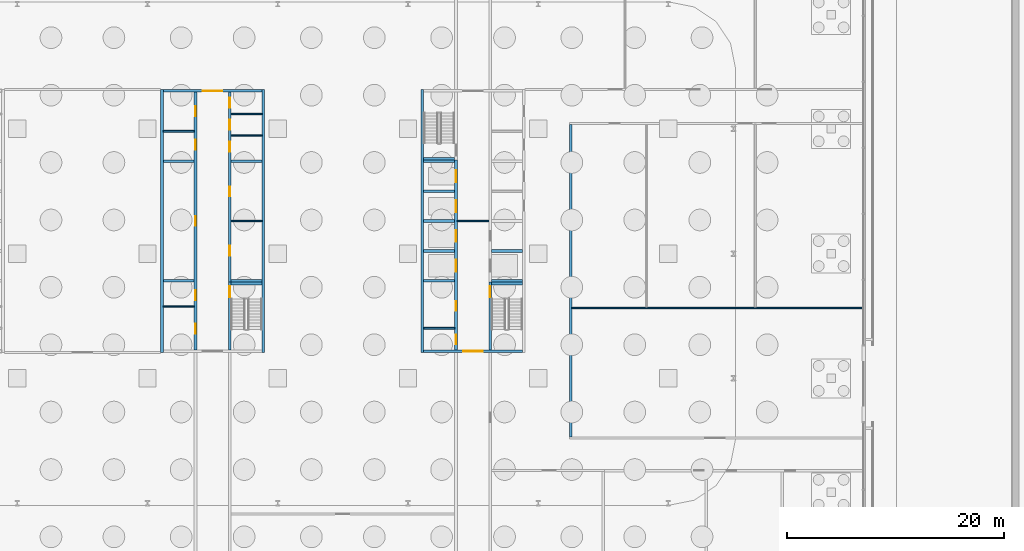
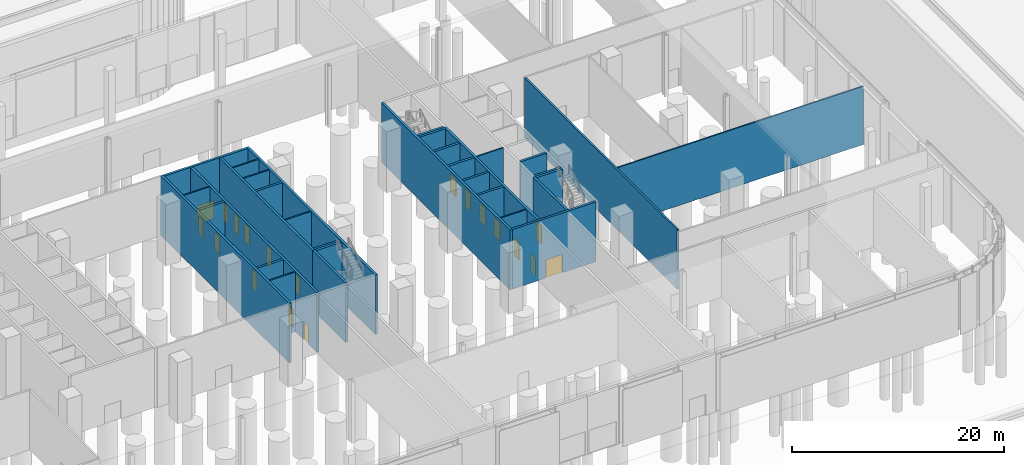
# One storey, part 27 of 48: 33 walls, 20 doors, 20 openings.
"""IFC4 building model written with IfcOpenShell, lengths in metres."""

import ifcopenshell
import ifcopenshell.guid

model = None  # the IFC model being written
_history = None  # IfcOwnerHistory: only IFC2X3 demands one
_inside = {}  # id of a spatial element -> (the spatial element, [elements in it])
_under = {}  # id of a project, library or spatial element -> (it, [spatial elements below it])
_declared = {}  # id of a project -> (the project, [libraries it declares])
_typed = {}  # id of a type object -> (the type object, [elements of that type])
_made_of = {}  # id of a material, layer set ... -> (it, [elements and type objects made of it])


def new_model(schema):
    """Start an empty IFC model of exactly this schema.

    Asked for "IFC4X3", IfcOpenShell would pick the latest addendum, in which some entities
    have other attributes; the version numbers below select the first issue.
    IFC2X3 requires an IfcOwnerHistory on every rooted entity: one is made here for all.
    """
    global model, _history
    if schema == "IFC4X3":
        model = ifcopenshell.file(schema_version=(4, 3, 0, 0))
    else:
        model = ifcopenshell.file(schema=schema)
    _inside.clear()
    _under.clear()
    _declared.clear()
    _typed.clear()
    _made_of.clear()
    _history = None
    if model.schema == "IFC2X3":
        org = make("IfcOrganization", Name="unknown")
        user = make(
            "IfcPersonAndOrganization",
            ThePerson=make("IfcPerson", FamilyName="unknown"),
            TheOrganization=org,
        )
        app = make(
            "IfcApplication",
            ApplicationDeveloper=org,
            Version="unknown",
            ApplicationFullName="unknown",
            ApplicationIdentifier="unknown",
        )
        _history = make(
            "IfcOwnerHistory",
            OwningUser=user,
            OwningApplication=app,
            ChangeAction="ADDED",
            CreationDate=0,
        )
    return model


def make(cls, **values):
    """One entity of the class cls with the attributes given. An attribute that is None is left unset."""
    return model.create_entity(
        cls, **{name: value for name, value in values.items() if value is not None}
    )


def rooted(cls, **values):
    """An entity with a GlobalId (a new one), such as an element, a storey or a relation."""
    return make(cls, GlobalId=ifcopenshell.guid.new(), OwnerHistory=_history, **values)


def si_unit(unit_type, name, prefix=None):
    """IfcSIUnit, for example si_unit("LENGTHUNIT", "METRE", prefix="MILLI")."""
    return make("IfcSIUnit", UnitType=unit_type, Prefix=prefix, Name=name)


def assignment(units):
    """IfcUnitAssignment: the units of a project."""
    return None if units is None else make("IfcUnitAssignment", Units=units)


def point(xyz):
    """IfcCartesianPoint."""
    return None if xyz is None else make("IfcCartesianPoint", Coordinates=xyz)


def direction(xyz):
    """IfcDirection."""
    return None if xyz is None else make("IfcDirection", DirectionRatios=xyz)


def frame(location, z_axis=None, x_axis=None):
    """IfcAxis2Placement3D, a coordinate frame: its origin and axes. An axis left out is left unset."""
    return make(
        "IfcAxis2Placement3D",
        Location=point(location),
        Axis=direction(z_axis),
        RefDirection=direction(x_axis),
    )


def frame_2d(location, x_axis=None):
    """IfcAxis2Placement2D, a coordinate frame in the plane: its origin and x axis."""
    return make(
        "IfcAxis2Placement2D", Location=point(location), RefDirection=direction(x_axis)
    )


def origin():
    """The frame at (0, 0, 0) with its axes left unset."""
    return frame((0.0, 0.0, 0.0))


def place(relative_to, where):
    """IfcLocalPlacement: puts the frame where relative to a parent placement (None: the world)."""
    return make(
        "IfcLocalPlacement", PlacementRelTo=relative_to, RelativePlacement=where
    )


def context(
    kind, dimensions, precision=None, world=None, true_north=None, identifier=None
):
    """IfcGeometricRepresentationContext, for example the 3D "Model" context."""
    return make(
        "IfcGeometricRepresentationContext",
        ContextIdentifier=identifier,
        ContextType=kind,
        CoordinateSpaceDimension=dimensions,
        Precision=precision,
        WorldCoordinateSystem=world,
        TrueNorth=true_north,
    )


def subcontext(parent, identifier, kind, view, scale=None):
    """IfcGeometricRepresentationSubContext, for example "Body" below "Model"."""
    return make(
        "IfcGeometricRepresentationSubContext",
        ContextIdentifier=identifier,
        ContextType=kind,
        ParentContext=parent,
        TargetScale=scale,
        TargetView=view,
    )


def project(units=None, contexts=None):
    """IfcProject with its units and contexts."""
    return rooted(
        "IfcProject",
        Name="project",
        RepresentationContexts=contexts,
        UnitsInContext=assignment(units),
    )


def spatial(cls, under=None, at=None, **own):
    """A site, building, storey or space (cls), placed at a placement, below another one or the project."""
    s = rooted(cls, ObjectPlacement=at, **own)
    if under is not None:
        _under.setdefault(under.id(), (under, []))[1].append(s)
    return s


def profile(cls, at=None, kind="AREA", **sizes):
    """A parametric profile (cls). Its sizes go by their IFC names, for example OverallWidth=200.0."""
    return make(cls, ProfileType=kind, Position=at, **sizes)


def rectangle(**sizes):
    """IfcRectangleProfileDef."""
    return profile("IfcRectangleProfileDef", **sizes)


def extrude(swept, where, along, depth):
    """IfcExtrudedAreaSolid: the profile swept, set in the frame where, extruded along a direction by depth."""
    return make(
        "IfcExtrudedAreaSolid",
        SweptArea=swept,
        Position=where,
        ExtrudedDirection=direction(along),
        Depth=depth,
    )


def shape(context_of_items, identifier, shape_type, items):
    """IfcShapeRepresentation: the items that make up one representation, for example the "Body"."""
    return make(
        "IfcShapeRepresentation",
        ContextOfItems=context_of_items,
        RepresentationIdentifier=identifier,
        RepresentationType=shape_type,
        Items=items,
    )


def material(Name=None, Category=None):
    """IfcMaterial."""
    return make("IfcMaterial", Name=Name, Category=Category)


def layer(
    of_material, thickness, ventilated=None, Name=None, Category=None, Priority=None
):
    """IfcMaterialLayer: one layer of a wall or slab, of a material (None: an air gap)."""
    return make(
        "IfcMaterialLayer",
        Material=of_material,
        LayerThickness=thickness,
        IsVentilated=ventilated,
        Name=Name,
        Category=Category,
        Priority=Priority,
    )


def layer_set(layers, Name=None):
    """IfcMaterialLayerSet."""
    return make("IfcMaterialLayerSet", MaterialLayers=layers, LayerSetName=Name)


def made_of(thing, what):
    """Note that an element or type object is made of a material, layer set ...; save() writes the relation."""
    if what is not None:
        _made_of.setdefault(what.id(), (what, []))[1].append(thing)
    return thing


def type_object(cls, material=None, **own):
    """A type object (cls), such as IfcWallType, which elements share."""
    return made_of(rooted(cls, **own), material)


def element(
    cls,
    number,
    at=None,
    inside=None,
    cuts=None,
    type_object=None,
    material=None,
    context=None,
    identifier="Body",
    shape_type=None,
    held_by="IfcProductDefinitionShape",
    body=None,
    shapes=None,
    **own,
):
    """One element of the class cls, such as IfcWall. Its Tag is "e" and its number.

    at: its placement. inside: the storey or other place that contains it. cuts: it is an
    opening in that element (IfcRelVoidsElement). A single representation is given by context,
    identifier, shape_type and body (its items); several are given by shapes. held_by: the class
    of the entity that holds the representations. save() writes the other relations.
    """
    e = rooted(cls, Tag="e%d" % number, ObjectPlacement=at, **own)
    if body is not None:
        shapes = [shape(context, identifier, shape_type, body)]
    if shapes is not None:
        e.Representation = make(held_by, Representations=shapes)
    if inside is not None:
        _inside.setdefault(inside.id(), (inside, []))[1].append(e)
    if cuts is not None:
        rooted(
            "IfcRelVoidsElement", RelatingBuildingElement=cuts, RelatedOpeningElement=e
        )
    if type_object is not None:
        _typed.setdefault(type_object.id(), (type_object, []))[1].append(e)
    return made_of(e, material)


def fill(opening, filler):
    """IfcRelFillsElement: the door or window that sits in an opening."""
    return rooted(
        "IfcRelFillsElement",
        RelatingOpeningElement=opening,
        RelatedBuildingElement=filler,
    )


def aggregate(whole, parts):
    """IfcRelAggregates: a whole, such as a stair, and the parts it consists of."""
    return rooted("IfcRelAggregates", RelatingObject=whole, RelatedObjects=parts)


def save(model, path):
    """Write the relations noted so far, then the file.

    IfcRelAggregates (storeys below a building ...), IfcRelContainedInSpatialStructure (elements
    in a storey), IfcRelDefinesByType, IfcRelAssociatesMaterial and IfcRelDeclares: one each for
    every whole, place, type object, material and project.
    """
    for whole, parts in _under.values():
        aggregate(whole, parts)
    for where, things in _inside.values():
        rooted(
            "IfcRelContainedInSpatialStructure",
            RelatedElements=things,
            RelatingStructure=where,
        )
    for kind, things in _typed.values():
        rooted("IfcRelDefinesByType", RelatedObjects=things, RelatingType=kind)
    for what, things in _made_of.values():
        rooted("IfcRelAssociatesMaterial", RelatedObjects=things, RelatingMaterial=what)
    for by, libraries in _declared.values():
        rooted("IfcRelDeclares", RelatingContext=by, RelatedDefinitions=libraries)
    model.write(path)


model = new_model("IFC4")

# Units and contexts
model_context = context("Model", 3, precision=1e-05, world=origin(), true_north=direction((0.0, 1.0)))
body_context = subcontext(model_context, "Body", "Model", "MODEL_VIEW")
ifc_project = project(units=[si_unit("LENGTHUNIT", "METRE"), si_unit("AREAUNIT", "SQUARE_METRE"), si_unit("VOLUMEUNIT", "CUBIC_METRE"), si_unit("PLANEANGLEUNIT", "RADIAN"), si_unit("MASSUNIT", "GRAM", prefix="KILO")], contexts=[model_context])

# Site, building, storey
site_placement = place(None, origin())
site = spatial("IfcSite", under=ifc_project, at=site_placement, CompositionType="ELEMENT")
building_placement = place(site_placement, origin())
building = spatial("IfcBuilding", under=site, at=building_placement, Name="Mahtab Terrace Research Tower", CompositionType="ELEMENT")
storey_placement = place(building_placement, origin())
storey = spatial("IfcBuildingStorey", under=building, at=storey_placement, Name="G", CompositionType="ELEMENT", Elevation=0.0)

# Walls
ifc_material_1 = material(Name="Gypsum board partition")
ifc_layer_1 = layer(ifc_material_1, 0.14990234375)
ifc_layer_set_1 = layer_set([ifc_layer_1], Name="Core partition 150")
wall_type_1 = type_object("IfcWallType", Name="Core partition 150", PredefinedType="PARTITIONING", material=ifc_layer_set_1)
for number, where, z_axis, x_axis, name in (
    (1, (1.699951171875, 3.0, 0.0), (0.0, 0.0, 1.0), (1.0, 0.0, 0.0), "Core wall B pEL0"),
    (2, (-4.550048828125, -4.875, 0.0), (0.0, 0.0, 1.0), (1.0, 0.0, 0.0), "Core wall B pWS-788"),
    (3, (-4.550048828125, 11.27490234375, 0.0), (0.0, 0.0, 1.0), (1.0, 0.0, 0.0), "Core wall B pWN828"),
    (4, (1.699951171875, 10.875, 0.0), (0.0, 0.0, 1.0), (1.0, 0.0, 0.0), "Core wall B pEN788"),
    (5, (1.699951171875, 12.875, 0.0), (0.0, 0.0, 1.0), (1.0, 0.0, 0.0), "Core wall B pEN988"),
):
    element("IfcWall", number, at=place(storey_placement, frame(where, z_axis=z_axis, x_axis=x_axis)), inside=storey, type_object=wall_type_1, Name=name, PredefinedType="PARTITIONING", context=body_context, shape_type="SweptSolid", body=[
        extrude(rectangle(XDim=2.85009765625, YDim=0.14990234375, at=frame_2d((1.425048828125, 0.0))), origin(), (0.0, 0.0, 1.0), 6.860107421875),
    ])
wall_1_placement = place(storey_placement, frame((22.550048828125, 3.0, 0.0), z_axis=(0.0, 0.0, 1.0), x_axis=(1.0, 0.0, 0.0)))
element("IfcWall", 6, at=wall_1_placement, inside=storey, type_object=wall_type_1, Name="Core wall C ffl", PredefinedType="PARTITIONING", context=body_context, shape_type="SweptSolid", body=[
    extrude(rectangle(XDim=2.89990234375, YDim=0.14990234375, at=frame_2d((1.449951171875, 0.0))), origin(), (0.0, 0.0, 1.0), 6.860107421875),
])
wall_2_placement = place(storey_placement, frame((19.449951171875, -6.875, 0.0), z_axis=(0.0, 0.0, 1.0), x_axis=(1.0, 0.0, 0.0)))
element("IfcWall", 7, at=wall_2_placement, inside=storey, type_object=wall_type_1, Name="Core wall C pWS-988", PredefinedType="PARTITIONING", context=body_context, shape_type="SweptSolid", body=[
    extrude(rectangle(XDim=2.85009765625, YDim=0.14990234375, at=frame_2d((1.425048828125, 0.0))), origin(), (0.0, 0.0, 1.0), 6.860107421875),
])
ifc_material_2 = material(Name="Concrete C70/85", Category="concrete")
ifc_layer_2 = layer(ifc_material_2, 0.25)
ifc_layer_set_2 = layer_set([ifc_layer_2], Name="Core wall 250")
wall_type_2 = type_object("IfcWallType", Name="Core wall 250", PredefinedType="SOLIDWALL", material=ifc_layer_set_2)
for number, where, z_axis, x_axis, name in (
    (8, (-4.675048828125, 15.125, 0.0), (0.0, 0.0, 1.0), (0.0, -1.0, 0.0), "Core wall B outerW"),
    (9, (4.675048828125, -9.125, 0.0), (0.0, 0.0, 1.0), (0.0, 1.0, 0.0), "Core wall B outerE"),
):
    element("IfcWall", number, at=place(storey_placement, frame(where, z_axis=z_axis, x_axis=x_axis)), inside=storey, type_object=wall_type_2, Name=name, PredefinedType="SOLIDWALL", context=body_context, shape_type="SweptSolid", body=[
        extrude(rectangle(XDim=24.25, YDim=0.25, at=frame_2d((12.125, 0.0))), origin(), (0.0, 0.0, 1.0), 6.860107421875),
    ])

# Wall, opening, door
wall_3_placement = place(storey_placement, frame((-4.550048828125, 15.0, 0.0), z_axis=(0.0, 0.0, 1.0), x_axis=(1.0, 0.0, 0.0)))
wall_3 = element("IfcWall", 10, at=wall_3_placement, inside=storey, type_object=wall_type_2, Name="Core wall B endN", PredefinedType="SOLIDWALL", context=body_context, shape_type="SweptSolid", body=[
    extrude(rectangle(XDim=9.10009765625, YDim=0.25, at=frame_2d((4.550048828125, 0.0))), origin(), (0.0, 0.0, 1.0), 6.860107421875),
])
opening_1_placement = place(wall_3_placement, frame((3.64990234375, 0.0, 0.0)))
opening_1 = element("IfcOpeningElement", 11, at=opening_1_placement, cuts=wall_3, Name="Opening B-N1", PredefinedType="OPENING", context=body_context, shape_type="SweptSolid", body=[
    extrude(rectangle(XDim=1.800048828125, YDim=2.10009765625, at=frame_2d((0.89990234375, 1.050048828125))), frame((0.0, 0.135009765625, 0.0), z_axis=(0.0, -1.0, 0.0), x_axis=(1.0, 0.0, 0.0)), (0.0, 0.0, 1.0), 0.27001953125),
])
ifc_material_3 = material(Name="Steel fire door", Category="steel")
door_type_1 = type_object("IfcDoorType", Name="Lobby double door 1800x2100 1 HR", OperationType="DOUBLE_DOOR_SINGLE_SWING", PredefinedType="DOOR", material=ifc_material_3)
door_1_placement = place(opening_1_placement, origin())
door_1 = element("IfcDoor", 12, at=door_1_placement, inside=storey, type_object=door_type_1, Name="Core entrance door B N", OperationType="DOUBLE_DOOR_SINGLE_SWING", OverallHeight=2.10009765625, OverallWidth=1.800048828125, PredefinedType="DOOR", context=body_context, shape_type="SweptSolid", body=[
    extrude(rectangle(XDim=1.800048828125, YDim=2.10009765625, at=frame_2d((0.89990234375, 1.050048828125))), frame((0.0, 0.02490234375, 0.0), z_axis=(0.0, -1.0, 0.0), x_axis=(1.0, 0.0, 0.0)), (0.0, 0.0, 1.0), 0.050048828125),
])
fill(opening_1, door_1)

# Wall, openings, doors
wall_4_placement = place(storey_placement, frame((-1.574951171875, -8.875, 0.0), z_axis=(0.0, 0.0, 1.0), x_axis=(0.0, 1.0, 0.0)))
wall_4 = element("IfcWall", 13, at=wall_4_placement, inside=storey, type_object=wall_type_2, Name="Core wall B innerWSLN", PredefinedType="SOLIDWALL", context=body_context, shape_type="SweptSolid", body=[
    extrude(rectangle(XDim=23.75, YDim=0.25, at=frame_2d((11.875, 0.0))), origin(), (0.0, 0.0, 1.0), 6.860107421875),
])
opening_2_placement = place(wall_4_placement, frame((11.425048828125, 0.0, 0.0)))
opening_2 = element("IfcOpeningElement", 14, at=opening_2_placement, cuts=wall_4, Name="Opening B-R1", PredefinedType="OPENING", context=body_context, shape_type="SweptSolid", body=[
    extrude(rectangle(XDim=0.89990234375, YDim=2.10009765625, at=frame_2d((0.449951171875, 1.050048828125))), frame((0.0, 0.135009765625, 0.0), z_axis=(0.0, -1.0, 0.0), x_axis=(1.0, 0.0, 0.0)), (0.0, 0.0, 1.0), 0.27001953125),
])
opening_3_placement = place(wall_4_placement, frame((1.512451171875, 0.0, 0.0)))
opening_3 = element("IfcOpeningElement", 15, at=opening_3_placement, cuts=wall_4, Name="Opening B-R4", PredefinedType="OPENING", context=body_context, shape_type="SweptSolid", body=[
    extrude(rectangle(XDim=0.89990234375, YDim=2.10009765625, at=frame_2d((0.449951171875, 1.050048828125))), frame((0.0, 0.135009765625, 0.0), z_axis=(0.0, -1.0, 0.0), x_axis=(1.0, 0.0, 0.0)), (0.0, 0.0, 1.0), 0.27001953125),
])
opening_4_placement = place(wall_4_placement, frame((4.58740234375, 0.0, 0.0)))
opening_4 = element("IfcOpeningElement", 16, at=opening_4_placement, cuts=wall_4, Name="Opening B-R5", PredefinedType="OPENING", context=body_context, shape_type="SweptSolid", body=[
    extrude(rectangle(XDim=0.89990234375, YDim=2.10009765625, at=frame_2d((0.449951171875, 1.050048828125))), frame((0.0, 0.135009765625, 0.0), z_axis=(0.0, -1.0, 0.0), x_axis=(1.0, 0.0, 0.0)), (0.0, 0.0, 1.0), 0.27001953125),
])
opening_5_placement = place(wall_4_placement, frame((18.46240234375, 0.0, 0.0)))
opening_5 = element("IfcOpeningElement", 17, at=opening_5_placement, cuts=wall_4, Name="Opening B-R6", PredefinedType="OPENING", context=body_context, shape_type="SweptSolid", body=[
    extrude(rectangle(XDim=0.89990234375, YDim=2.10009765625, at=frame_2d((0.449951171875, 1.050048828125))), frame((0.0, 0.135009765625, 0.0), z_axis=(0.0, -1.0, 0.0), x_axis=(1.0, 0.0, 0.0)), (0.0, 0.0, 1.0), 0.27001953125),
])
opening_6_placement = place(wall_4_placement, frame((21.53759765625, 0.0, 0.0)))
opening_6 = element("IfcOpeningElement", 18, at=opening_6_placement, cuts=wall_4, Name="Opening B-R7", PredefinedType="OPENING", context=body_context, shape_type="SweptSolid", body=[
    extrude(rectangle(XDim=0.89990234375, YDim=2.10009765625, at=frame_2d((0.449951171875, 1.050048828125))), frame((0.0, 0.135009765625, 0.0), z_axis=(0.0, -1.0, 0.0), x_axis=(1.0, 0.0, 0.0)), (0.0, 0.0, 1.0), 0.27001953125),
])
door_type_2 = type_object("IfcDoorType", Name="Room door 900x2100 1 HR", OperationType="NOTDEFINED", PredefinedType="DOOR", material=ifc_material_3)
door_2_placement = place(opening_2_placement, origin())
door_2 = element("IfcDoor", 19, at=door_2_placement, inside=storey, type_object=door_type_2, Name="Plant room door", OperationType="SINGLE_SWING_LEFT", OverallHeight=2.10009765625, OverallWidth=0.89990234375, PredefinedType="DOOR", context=body_context, shape_type="SweptSolid", body=[
    extrude(rectangle(XDim=0.89990234375, YDim=2.10009765625, at=frame_2d((0.449951171875, 1.050048828125))), frame((0.0, 0.02490234375, 0.0), z_axis=(0.0, -1.0, 0.0), x_axis=(1.0, 0.0, 0.0)), (0.0, 0.0, 1.0), 0.050048828125),
])
fill(opening_2, door_2)
door_3_placement = place(opening_3_placement, origin())
door_3 = element("IfcDoor", 20, at=door_3_placement, inside=storey, type_object=door_type_2, Name="IT equipment room door", OperationType="SINGLE_SWING_RIGHT", OverallHeight=2.10009765625, OverallWidth=0.89990234375, PredefinedType="DOOR", context=body_context, shape_type="SweptSolid", body=[
    extrude(rectangle(XDim=0.89990234375, YDim=2.10009765625, at=frame_2d((0.449951171875, 1.050048828125))), frame((0.0, 0.02490234375, 0.0), z_axis=(0.0, -1.0, 0.0), x_axis=(1.0, 0.0, 0.0)), (0.0, 0.0, 1.0), 0.050048828125),
])
fill(opening_3, door_3)
door_4_placement = place(opening_4_placement, origin())
door_4 = element("IfcDoor", 21, at=door_4_placement, inside=storey, type_object=door_type_2, Name="Electrical riser room door", OperationType="SINGLE_SWING_LEFT", OverallHeight=2.10009765625, OverallWidth=0.89990234375, PredefinedType="DOOR", context=body_context, shape_type="SweptSolid", body=[
    extrude(rectangle(XDim=0.89990234375, YDim=2.10009765625, at=frame_2d((0.449951171875, 1.050048828125))), frame((0.0, 0.02490234375, 0.0), z_axis=(0.0, -1.0, 0.0), x_axis=(1.0, 0.0, 0.0)), (0.0, 0.0, 1.0), 0.050048828125),
])
fill(opening_4, door_4)
door_5_placement = place(opening_5_placement, origin())
door_5 = element("IfcDoor", 22, at=door_5_placement, inside=storey, type_object=door_type_2, Name="Mechanical riser room door", OperationType="SINGLE_SWING_RIGHT", OverallHeight=2.10009765625, OverallWidth=0.89990234375, PredefinedType="DOOR", context=body_context, shape_type="SweptSolid", body=[
    extrude(rectangle(XDim=0.89990234375, YDim=2.10009765625, at=frame_2d((0.449951171875, 1.050048828125))), frame((0.0, 0.02490234375, 0.0), z_axis=(0.0, -1.0, 0.0), x_axis=(1.0, 0.0, 0.0)), (0.0, 0.0, 1.0), 0.050048828125),
])
fill(opening_5, door_5)
door_6_placement = place(opening_6_placement, origin())
door_6 = element("IfcDoor", 23, at=door_6_placement, inside=storey, type_object=door_type_2, Name="Chemical store door", OperationType="SINGLE_SWING_LEFT", OverallHeight=2.10009765625, OverallWidth=0.89990234375, PredefinedType="DOOR", context=body_context, shape_type="SweptSolid", body=[
    extrude(rectangle(XDim=0.89990234375, YDim=2.10009765625, at=frame_2d((0.449951171875, 1.050048828125))), frame((0.0, 0.02490234375, 0.0), z_axis=(0.0, -1.0, 0.0), x_axis=(1.0, 0.0, 0.0)), (0.0, 0.0, 1.0), 0.050048828125),
])
fill(opening_6, door_6)

# Wall, opening, door
wall_5_placement = place(storey_placement, frame((1.574951171875, -8.875, 0.0), z_axis=(0.0, 0.0, 1.0), x_axis=(0.0, 1.0, 0.0)))
wall_5 = element("IfcWall", 24, at=wall_5_placement, inside=storey, type_object=wall_type_2, Name="Core wall B innerES", PredefinedType="SOLIDWALL", context=body_context, shape_type="SweptSolid", body=[
    extrude(rectangle(XDim=6.25, YDim=0.25, at=frame_2d((3.125, 0.0))), origin(), (0.0, 0.0, 1.0), 6.860107421875),
])
opening_7_placement = place(wall_5_placement, frame((4.85009765625, 0.0, 0.0)))
opening_7 = element("IfcOpeningElement", 25, at=opening_7_placement, cuts=wall_5, Name="Opening B-ST2", PredefinedType="OPENING", context=body_context, shape_type="SweptSolid", body=[
    extrude(rectangle(XDim=1.0, YDim=2.10009765625, at=frame_2d((0.5, 1.050048828125))), frame((0.0, 0.135009765625, 0.0), z_axis=(0.0, -1.0, 0.0), x_axis=(1.0, 0.0, 0.0)), (0.0, 0.0, 1.0), 0.27001953125),
])
door_type_3 = type_object("IfcDoorType", Name="Stair door 1000x2100 1.5 HR", OperationType="NOTDEFINED", PredefinedType="DOOR", material=ifc_material_3)
door_7_placement = place(opening_7_placement, origin())
door_7 = element("IfcDoor", 26, at=door_7_placement, inside=storey, type_object=door_type_3, Name="Stair door ST2 G", OperationType="SINGLE_SWING_LEFT", OverallHeight=2.10009765625, OverallWidth=1.0, PredefinedType="DOOR", context=body_context, shape_type="SweptSolid", body=[
    extrude(rectangle(XDim=1.0, YDim=2.10009765625, at=frame_2d((0.5, 1.050048828125))), frame((0.0, 0.02490234375, 0.0), z_axis=(0.0, -1.0, 0.0), x_axis=(1.0, 0.0, 0.0)), (0.0, 0.0, 1.0), 0.050048828125),
])
fill(opening_7, door_7)

# Wall, openings, doors
wall_6_placement = place(storey_placement, frame((1.574951171875, 14.875, 0.0), z_axis=(0.0, 0.0, 1.0), x_axis=(0.0, -1.0, 0.0)))
wall_6 = element("IfcWall", 27, at=wall_6_placement, inside=storey, type_object=wall_type_2, Name="Core wall B innerELN", PredefinedType="SOLIDWALL", context=body_context, shape_type="SweptSolid", body=[
    extrude(rectangle(XDim=17.5, YDim=0.25, at=frame_2d((8.75, 0.0))), origin(), (0.0, 0.0, 1.0), 6.860107421875),
])
opening_8_placement = place(wall_6_placement, frame((14.14990234375, 0.0, 0.0)))
opening_8 = element("IfcOpeningElement", 28, at=opening_8_placement, cuts=wall_6, Name="Opening B-R2", PredefinedType="OPENING", context=body_context, shape_type="SweptSolid", body=[
    extrude(rectangle(XDim=0.89990234375, YDim=2.10009765625, at=frame_2d((0.449951171875, 1.050048828125))), frame((0.0, 0.135009765625, 0.0), z_axis=(0.0, -1.0, 0.0), x_axis=(1.0, 0.0, 0.0)), (0.0, 0.0, 1.0), 0.27001953125),
])
opening_9_placement = place(wall_6_placement, frame((8.699951171875, 0.0, 0.0)))
opening_9 = element("IfcOpeningElement", 29, at=opening_9_placement, cuts=wall_6, Name="Opening B-R3", PredefinedType="OPENING", context=body_context, shape_type="SweptSolid", body=[
    extrude(rectangle(XDim=0.89990234375, YDim=2.10009765625, at=frame_2d((0.449951171875, 1.050048828125))), frame((0.0, 0.135009765625, 0.0), z_axis=(0.0, -1.0, 0.0), x_axis=(1.0, 0.0, 0.0)), (0.0, 0.0, 1.0), 0.27001953125),
])
opening_10_placement = place(wall_6_placement, frame((4.58740234375, 0.0, 0.0)))
opening_10 = element("IfcOpeningElement", 30, at=opening_10_placement, cuts=wall_6, Name="Opening B-R8", PredefinedType="OPENING", context=body_context, shape_type="SweptSolid", body=[
    extrude(rectangle(XDim=0.89990234375, YDim=2.10009765625, at=frame_2d((0.449951171875, 1.050048828125))), frame((0.0, 0.135009765625, 0.0), z_axis=(0.0, -1.0, 0.0), x_axis=(1.0, 0.0, 0.0)), (0.0, 0.0, 1.0), 0.27001953125),
])
opening_11_placement = place(wall_6_placement, frame((2.550048828125, 0.0, 0.0)))
opening_11 = element("IfcOpeningElement", 31, at=opening_11_placement, cuts=wall_6, Name="Opening B-R9", PredefinedType="OPENING", context=body_context, shape_type="SweptSolid", body=[
    extrude(rectangle(XDim=0.89990234375, YDim=2.10009765625, at=frame_2d((0.449951171875, 1.050048828125))), frame((0.0, 0.135009765625, 0.0), z_axis=(0.0, -1.0, 0.0), x_axis=(1.0, 0.0, 0.0)), (0.0, 0.0, 1.0), 0.27001953125),
])
opening_12_placement = place(wall_6_placement, frame((0.512451171875, 0.0, 0.0)))
opening_12 = element("IfcOpeningElement", 32, at=opening_12_placement, cuts=wall_6, Name="Opening B-R10", PredefinedType="OPENING", context=body_context, shape_type="SweptSolid", body=[
    extrude(rectangle(XDim=0.89990234375, YDim=2.10009765625, at=frame_2d((0.449951171875, 1.050048828125))), frame((0.0, 0.135009765625, 0.0), z_axis=(0.0, -1.0, 0.0), x_axis=(1.0, 0.0, 0.0)), (0.0, 0.0, 1.0), 0.27001953125),
])
door_8_placement = place(opening_8_placement, origin())
door_8 = element("IfcDoor", 33, at=door_8_placement, inside=storey, type_object=door_type_2, Name="Document store door", OperationType="SINGLE_SWING_RIGHT", OverallHeight=2.10009765625, OverallWidth=0.89990234375, PredefinedType="DOOR", context=body_context, shape_type="SweptSolid", body=[
    extrude(rectangle(XDim=0.89990234375, YDim=2.10009765625, at=frame_2d((0.449951171875, 1.050048828125))), frame((0.0, 0.02490234375, 0.0), z_axis=(0.0, -1.0, 0.0), x_axis=(1.0, 0.0, 0.0)), (0.0, 0.0, 1.0), 0.050048828125),
])
fill(opening_8, door_8)
door_9_placement = place(opening_9_placement, origin())
door_9 = element("IfcDoor", 34, at=door_9_placement, inside=storey, type_object=door_type_2, Name="IT equipment room door", OperationType="SINGLE_SWING_LEFT", OverallHeight=2.10009765625, OverallWidth=0.89990234375, PredefinedType="DOOR", context=body_context, shape_type="SweptSolid", body=[
    extrude(rectangle(XDim=0.89990234375, YDim=2.10009765625, at=frame_2d((0.449951171875, 1.050048828125))), frame((0.0, 0.02490234375, 0.0), z_axis=(0.0, -1.0, 0.0), x_axis=(1.0, 0.0, 0.0)), (0.0, 0.0, 1.0), 0.050048828125),
])
fill(opening_9, door_9)
door_10_placement = place(opening_10_placement, origin())
door_10 = element("IfcDoor", 35, at=door_10_placement, inside=storey, type_object=door_type_2, Name="Male WC door", OperationType="SINGLE_SWING_RIGHT", OverallHeight=2.10009765625, OverallWidth=0.89990234375, PredefinedType="DOOR", context=body_context, shape_type="SweptSolid", body=[
    extrude(rectangle(XDim=0.89990234375, YDim=2.10009765625, at=frame_2d((0.449951171875, 1.050048828125))), frame((0.0, 0.02490234375, 0.0), z_axis=(0.0, -1.0, 0.0), x_axis=(1.0, 0.0, 0.0)), (0.0, 0.0, 1.0), 0.050048828125),
])
fill(opening_10, door_10)
door_11_placement = place(opening_11_placement, origin())
door_11 = element("IfcDoor", 36, at=door_11_placement, inside=storey, type_object=door_type_2, Name="Female WC door", OperationType="SINGLE_SWING_LEFT", OverallHeight=2.10009765625, OverallWidth=0.89990234375, PredefinedType="DOOR", context=body_context, shape_type="SweptSolid", body=[
    extrude(rectangle(XDim=0.89990234375, YDim=2.10009765625, at=frame_2d((0.449951171875, 1.050048828125))), frame((0.0, 0.02490234375, 0.0), z_axis=(0.0, -1.0, 0.0), x_axis=(1.0, 0.0, 0.0)), (0.0, 0.0, 1.0), 0.050048828125),
])
fill(opening_11, door_11)
door_12_placement = place(opening_12_placement, origin())
door_12 = element("IfcDoor", 37, at=door_12_placement, inside=storey, type_object=door_type_2, Name="Accessible WC door", OperationType="SINGLE_SWING_RIGHT", OverallHeight=2.10009765625, OverallWidth=0.89990234375, PredefinedType="DOOR", context=body_context, shape_type="SweptSolid", body=[
    extrude(rectangle(XDim=0.89990234375, YDim=2.10009765625, at=frame_2d((0.449951171875, 1.050048828125))), frame((0.0, 0.02490234375, 0.0), z_axis=(0.0, -1.0, 0.0), x_axis=(1.0, 0.0, 0.0)), (0.0, 0.0, 1.0), 0.050048828125),
])
fill(opening_12, door_12)

# Walls
for number, where, z_axis, x_axis, name in (
    (38, (-4.550048828125, -2.5, 0.0), (0.0, 0.0, 1.0), (1.0, 0.0, 0.0), "Core wall B divW0"),
    (39, (-4.550048828125, 8.5, 0.0), (0.0, 0.0, 1.0), (1.0, 0.0, 0.0), "Core wall B divW4"),
    (40, (1.699951171875, -2.5, 0.0), (0.0, 0.0, 1.0), (1.0, 0.0, 0.0), "Core wall B divE0"),
    (41, (1.699951171875, 8.5, 0.0), (0.0, 0.0, 1.0), (1.0, 0.0, 0.0), "Core wall B divE4"),
    (42, (1.699951171875, -2.75, 0.0), (0.0, 0.0, 1.0), (1.0, 0.0, 0.0), "Core wall B stairendST2"),
):
    element("IfcWall", number, at=place(storey_placement, frame(where, z_axis=z_axis, x_axis=x_axis)), inside=storey, type_object=wall_type_2, Name=name, PredefinedType="SOLIDWALL", context=body_context, shape_type="SweptSolid", body=[
        extrude(rectangle(XDim=2.85009765625, YDim=0.25, at=frame_2d((1.425048828125, 0.0))), origin(), (0.0, 0.0, 1.0), 6.860107421875),
    ])
wall_7_placement = place(storey_placement, frame((19.324951171875, 15.125, 0.0), z_axis=(0.0, 0.0, 1.0), x_axis=(0.0, -1.0, 0.0)))
element("IfcWall", 43, at=wall_7_placement, inside=storey, type_object=wall_type_2, Name="Core wall C outerW", PredefinedType="SOLIDWALL", context=body_context, shape_type="SweptSolid", body=[
    extrude(rectangle(XDim=24.25, YDim=0.25, at=frame_2d((12.125, 0.0))), origin(), (0.0, 0.0, 1.0), 6.860107421875),
])

# Wall, opening, door
wall_8_placement = place(storey_placement, frame((28.550048828125, -9.0, 0.0), z_axis=(0.0, 0.0, 1.0), x_axis=(-1.0, 0.0, 0.0)))
wall_8 = element("IfcWall", 44, at=wall_8_placement, inside=storey, type_object=wall_type_2, Name="Core wall C endS", PredefinedType="SOLIDWALL", context=body_context, shape_type="SweptSolid", body=[
    extrude(rectangle(XDim=9.10009765625, YDim=0.25, at=frame_2d((4.550048828125, 0.0))), origin(), (0.0, 0.0, 1.0), 6.860107421875),
])
opening_13_placement = place(wall_8_placement, frame((3.64990234375, 0.0, 0.0)))
opening_13 = element("IfcOpeningElement", 45, at=opening_13_placement, cuts=wall_8, Name="Opening C-S1", PredefinedType="OPENING", context=body_context, shape_type="SweptSolid", body=[
    extrude(rectangle(XDim=1.800048828125, YDim=2.10009765625, at=frame_2d((0.89990234375, 1.050048828125))), frame((0.0, 0.135009765625, 0.0), z_axis=(0.0, -1.0, 0.0), x_axis=(1.0, 0.0, 0.0)), (0.0, 0.0, 1.0), 0.27001953125),
])
door_13_placement = place(opening_13_placement, origin())
door_13 = element("IfcDoor", 46, at=door_13_placement, inside=storey, type_object=door_type_1, Name="Core entrance door C S", OperationType="DOUBLE_DOOR_SINGLE_SWING", OverallHeight=2.10009765625, OverallWidth=1.800048828125, PredefinedType="DOOR", context=body_context, shape_type="SweptSolid", body=[
    extrude(rectangle(XDim=1.800048828125, YDim=2.10009765625, at=frame_2d((0.89990234375, 1.050048828125))), frame((0.0, 0.02490234375, 0.0), z_axis=(0.0, -1.0, 0.0), x_axis=(1.0, 0.0, 0.0)), (0.0, 0.0, 1.0), 0.050048828125),
])
fill(opening_13, door_13)

# Wall, openings, doors
wall_9_placement = place(storey_placement, frame((22.425048828125, -8.875, 0.0), z_axis=(0.0, 0.0, 1.0), x_axis=(0.0, 1.0, 0.0)))
wall_9 = element("IfcWall", 47, at=wall_9_placement, inside=storey, type_object=wall_type_2, Name="Core wall C innerWSL", PredefinedType="SOLIDWALL", context=body_context, shape_type="SweptSolid", body=[
    extrude(rectangle(XDim=17.5, YDim=0.25, at=frame_2d((8.75, 0.0))), origin(), (0.0, 0.0, 1.0), 6.860107421875),
])
opening_14_placement = place(wall_9_placement, frame((7.199951171875, 0.0, 0.0)))
opening_14 = element("IfcOpeningElement", 48, at=opening_14_placement, cuts=wall_9, Name="Opening LD17-G", PredefinedType="OPENING", context=body_context, shape_type="SweptSolid", body=[
    extrude(rectangle(XDim=1.10009765625, YDim=2.10009765625, at=frame_2d((0.550048828125, 1.050048828125))), frame((0.0, 0.135009765625, 0.0), z_axis=(0.0, -1.0, 0.0), x_axis=(1.0, 0.0, 0.0)), (0.0, 0.0, 1.0), 0.27001953125),
])
opening_15_placement = place(wall_9_placement, frame((9.949951171875, 0.0, 0.0)))
opening_15 = element("IfcOpeningElement", 49, at=opening_15_placement, cuts=wall_9, Name="Opening LD18-G", PredefinedType="OPENING", context=body_context, shape_type="SweptSolid", body=[
    extrude(rectangle(XDim=1.10009765625, YDim=2.10009765625, at=frame_2d((0.550048828125, 1.050048828125))), frame((0.0, 0.135009765625, 0.0), z_axis=(0.0, -1.0, 0.0), x_axis=(1.0, 0.0, 0.0)), (0.0, 0.0, 1.0), 0.27001953125),
])
opening_16_placement = place(wall_9_placement, frame((12.699951171875, 0.0, 0.0)))
opening_16 = element("IfcOpeningElement", 50, at=opening_16_placement, cuts=wall_9, Name="Opening LD19-G", PredefinedType="OPENING", context=body_context, shape_type="SweptSolid", body=[
    extrude(rectangle(XDim=1.10009765625, YDim=2.10009765625, at=frame_2d((0.550048828125, 1.050048828125))), frame((0.0, 0.135009765625, 0.0), z_axis=(0.0, -1.0, 0.0), x_axis=(1.0, 0.0, 0.0)), (0.0, 0.0, 1.0), 0.27001953125),
])
opening_17_placement = place(wall_9_placement, frame((15.449951171875, 0.0, 0.0)))
opening_17 = element("IfcOpeningElement", 51, at=opening_17_placement, cuts=wall_9, Name="Opening LD20-G", PredefinedType="OPENING", context=body_context, shape_type="SweptSolid", body=[
    extrude(rectangle(XDim=1.10009765625, YDim=2.10009765625, at=frame_2d((0.550048828125, 1.050048828125))), frame((0.0, 0.135009765625, 0.0), z_axis=(0.0, -1.0, 0.0), x_axis=(1.0, 0.0, 0.0)), (0.0, 0.0, 1.0), 0.27001953125),
])
opening_18_placement = place(wall_9_placement, frame((0.512451171875, 0.0, 0.0)))
opening_18 = element("IfcOpeningElement", 52, at=opening_18_placement, cuts=wall_9, Name="Opening C-R4", PredefinedType="OPENING", context=body_context, shape_type="SweptSolid", body=[
    extrude(rectangle(XDim=0.89990234375, YDim=2.10009765625, at=frame_2d((0.449951171875, 1.050048828125))), frame((0.0, 0.135009765625, 0.0), z_axis=(0.0, -1.0, 0.0), x_axis=(1.0, 0.0, 0.0)), (0.0, 0.0, 1.0), 0.27001953125),
])
opening_19_placement = place(wall_9_placement, frame((3.58740234375, 0.0, 0.0)))
opening_19 = element("IfcOpeningElement", 53, at=opening_19_placement, cuts=wall_9, Name="Opening C-R5", PredefinedType="OPENING", context=body_context, shape_type="SweptSolid", body=[
    extrude(rectangle(XDim=0.89990234375, YDim=2.10009765625, at=frame_2d((0.449951171875, 1.050048828125))), frame((0.0, 0.135009765625, 0.0), z_axis=(0.0, -1.0, 0.0), x_axis=(1.0, 0.0, 0.0)), (0.0, 0.0, 1.0), 0.27001953125),
])
ifc_material_4 = material(Name="Stainless steel AISI 304", Category="steel")
door_type_4 = type_object("IfcDoorType", Name="Landing door 1100x2100", OperationType="DOUBLE_DOOR_SLIDING", PredefinedType="DOOR", material=ifc_material_4)
door_14_placement = place(opening_14_placement, origin())
door_14 = element("IfcDoor", 54, at=door_14_placement, inside=storey, type_object=door_type_4, Name="Landing door SV1 G", OperationType="DOUBLE_DOOR_SLIDING", OverallHeight=2.10009765625, OverallWidth=1.10009765625, PredefinedType="DOOR", context=body_context, shape_type="SweptSolid", body=[
    extrude(rectangle(XDim=1.10009765625, YDim=2.10009765625, at=frame_2d((0.550048828125, 1.050048828125))), frame((0.0, 0.02490234375, 0.0), z_axis=(0.0, -1.0, 0.0), x_axis=(1.0, 0.0, 0.0)), (0.0, 0.0, 1.0), 0.050048828125),
])
fill(opening_14, door_14)
door_15_placement = place(opening_15_placement, origin())
door_15 = element("IfcDoor", 55, at=door_15_placement, inside=storey, type_object=door_type_4, Name="Landing door SV2 G", OperationType="DOUBLE_DOOR_SLIDING", OverallHeight=2.10009765625, OverallWidth=1.10009765625, PredefinedType="DOOR", context=body_context, shape_type="SweptSolid", body=[
    extrude(rectangle(XDim=1.10009765625, YDim=2.10009765625, at=frame_2d((0.550048828125, 1.050048828125))), frame((0.0, 0.02490234375, 0.0), z_axis=(0.0, -1.0, 0.0), x_axis=(1.0, 0.0, 0.0)), (0.0, 0.0, 1.0), 0.050048828125),
])
fill(opening_15, door_15)
door_16_placement = place(opening_16_placement, origin())
door_16 = element("IfcDoor", 56, at=door_16_placement, inside=storey, type_object=door_type_4, Name="Landing door FF1 G", OperationType="DOUBLE_DOOR_SLIDING", OverallHeight=2.10009765625, OverallWidth=1.10009765625, PredefinedType="DOOR", context=body_context, shape_type="SweptSolid", body=[
    extrude(rectangle(XDim=1.10009765625, YDim=2.10009765625, at=frame_2d((0.550048828125, 1.050048828125))), frame((0.0, 0.02490234375, 0.0), z_axis=(0.0, -1.0, 0.0), x_axis=(1.0, 0.0, 0.0)), (0.0, 0.0, 1.0), 0.050048828125),
])
fill(opening_16, door_16)
door_17_placement = place(opening_17_placement, origin())
door_17 = element("IfcDoor", 57, at=door_17_placement, inside=storey, type_object=door_type_4, Name="Landing door FF2 G", OperationType="DOUBLE_DOOR_SLIDING", OverallHeight=2.10009765625, OverallWidth=1.10009765625, PredefinedType="DOOR", context=body_context, shape_type="SweptSolid", body=[
    extrude(rectangle(XDim=1.10009765625, YDim=2.10009765625, at=frame_2d((0.550048828125, 1.050048828125))), frame((0.0, 0.02490234375, 0.0), z_axis=(0.0, -1.0, 0.0), x_axis=(1.0, 0.0, 0.0)), (0.0, 0.0, 1.0), 0.050048828125),
])
fill(opening_17, door_17)
door_18_placement = place(opening_18_placement, origin())
door_18 = element("IfcDoor", 58, at=door_18_placement, inside=storey, type_object=door_type_2, Name="Accessible WC door", OperationType="SINGLE_SWING_RIGHT", OverallHeight=2.10009765625, OverallWidth=0.89990234375, PredefinedType="DOOR", context=body_context, shape_type="SweptSolid", body=[
    extrude(rectangle(XDim=0.89990234375, YDim=2.10009765625, at=frame_2d((0.449951171875, 1.050048828125))), frame((0.0, 0.02490234375, 0.0), z_axis=(0.0, -1.0, 0.0), x_axis=(1.0, 0.0, 0.0)), (0.0, 0.0, 1.0), 0.050048828125),
])
fill(opening_18, door_18)
door_19_placement = place(opening_19_placement, origin())
door_19 = element("IfcDoor", 59, at=door_19_placement, inside=storey, type_object=door_type_2, Name="WC block door", OperationType="SINGLE_SWING_LEFT", OverallHeight=2.10009765625, OverallWidth=0.89990234375, PredefinedType="DOOR", context=body_context, shape_type="SweptSolid", body=[
    extrude(rectangle(XDim=0.89990234375, YDim=2.10009765625, at=frame_2d((0.449951171875, 1.050048828125))), frame((0.0, 0.02490234375, 0.0), z_axis=(0.0, -1.0, 0.0), x_axis=(1.0, 0.0, 0.0)), (0.0, 0.0, 1.0), 0.050048828125),
])
fill(opening_19, door_19)

# Wall, opening, door
wall_10_placement = place(storey_placement, frame((25.574951171875, -8.875, 0.0), z_axis=(0.0, 0.0, 1.0), x_axis=(0.0, 1.0, 0.0)))
wall_10 = element("IfcWall", 60, at=wall_10_placement, inside=storey, type_object=wall_type_2, Name="Core wall C innerES", PredefinedType="SOLIDWALL", context=body_context, shape_type="SweptSolid", body=[
    extrude(rectangle(XDim=6.25, YDim=0.25, at=frame_2d((3.125, 0.0))), origin(), (0.0, 0.0, 1.0), 6.860107421875),
])
opening_20_placement = place(wall_10_placement, frame((4.85009765625, 0.0, 0.0)))
opening_20 = element("IfcOpeningElement", 61, at=opening_20_placement, cuts=wall_10, Name="Opening C-ST4", PredefinedType="OPENING", context=body_context, shape_type="SweptSolid", body=[
    extrude(rectangle(XDim=1.0, YDim=2.10009765625, at=frame_2d((0.5, 1.050048828125))), frame((0.0, 0.135009765625, 0.0), z_axis=(0.0, -1.0, 0.0), x_axis=(1.0, 0.0, 0.0)), (0.0, 0.0, 1.0), 0.27001953125),
])
door_20_placement = place(opening_20_placement, origin())
door_20 = element("IfcDoor", 62, at=door_20_placement, inside=storey, type_object=door_type_3, Name="Stair door ST4 G", OperationType="SINGLE_SWING_LEFT", OverallHeight=2.10009765625, OverallWidth=1.0, PredefinedType="DOOR", context=body_context, shape_type="SweptSolid", body=[
    extrude(rectangle(XDim=1.0, YDim=2.10009765625, at=frame_2d((0.5, 1.050048828125))), frame((0.0, 0.02490234375, 0.0), z_axis=(0.0, -1.0, 0.0), x_axis=(1.0, 0.0, 0.0)), (0.0, 0.0, 1.0), 0.050048828125),
])
fill(opening_20, door_20)

# Walls
for number, where, z_axis, x_axis, name in (
    (63, (19.449951171875, -2.5, 0.0), (0.0, 0.0, 1.0), (1.0, 0.0, 0.0), "Core wall C divW0"),
    (64, (19.449951171875, 0.25, 0.0), (0.0, 0.0, 1.0), (1.0, 0.0, 0.0), "Core wall C divW1"),
    (65, (19.449951171875, 3.0, 0.0), (0.0, 0.0, 1.0), (1.0, 0.0, 0.0), "Core wall C divW2"),
    (66, (19.449951171875, 5.75, 0.0), (0.0, 0.0, 1.0), (1.0, 0.0, 0.0), "Core wall C divW3"),
    (67, (19.449951171875, 8.5, 0.0), (0.0, 0.0, 1.0), (1.0, 0.0, 0.0), "Core wall C divW4"),
    (68, (25.699951171875, -2.5, 0.0), (0.0, 0.0, 1.0), (1.0, 0.0, 0.0), "Core wall C divE0"),
    (69, (25.699951171875, 0.25, 0.0), (0.0, 0.0, 1.0), (1.0, 0.0, 0.0), "Core wall C divE1"),
    (70, (19.449951171875, 8.75, 0.0), (0.0, 0.0, 1.0), (1.0, 0.0, 0.0), "Core wall C stairendST3"),
    (71, (25.699951171875, -2.75, 0.0), (0.0, 0.0, 1.0), (1.0, 0.0, 0.0), "Core wall C stairendST4"),
):
    element("IfcWall", number, at=place(storey_placement, frame(where, z_axis=z_axis, x_axis=x_axis)), inside=storey, type_object=wall_type_2, Name=name, PredefinedType="SOLIDWALL", context=body_context, shape_type="SweptSolid", body=[
        extrude(rectangle(XDim=2.85009765625, YDim=0.25, at=frame_2d((1.425048828125, 0.0))), origin(), (0.0, 0.0, 1.0), 6.860107421875),
    ])
ifc_material_5 = material(Name="Gypsum board corridor wall on steel studs", Category="steel")
ifc_layer_3 = layer(ifc_material_5, 0.199951171875)
ifc_layer_set_3 = layer_set([ifc_layer_3], Name="WALL CORRIDOR 200")
wall_type_3 = type_object("IfcWallType", Name="WALL CORRIDOR 200", PredefinedType="PARTITIONING", material=ifc_layer_set_3)
wall_11_placement = place(storey_placement, frame((33.0, -16.89990234375, 0.0), z_axis=(0.0, 0.0, 1.0), x_axis=(0.0, 1.0, 0.0)))
element("IfcWall", 72, at=wall_11_placement, inside=storey, type_object=wall_type_3, Name="G-W026", PredefinedType="PARTITIONING", context=body_context, shape_type="SweptSolid", body=[
    extrude(rectangle(XDim=28.7998046875, YDim=0.199951171875, at=frame_2d((14.39990234375, 0.0))), origin(), (0.0, 0.0, 1.0), 6.860107421875),
])
ifc_material_6 = material(Name="Gypsum board partition on steel studs", Category="steel")
ifc_layer_4 = layer(ifc_material_6, 0.14990234375)
ifc_layer_set_4 = layer_set([ifc_layer_4], Name="WALL PARTITION 150")
wall_type_4 = type_object("IfcWallType", Name="WALL PARTITION 150", PredefinedType="PARTITIONING", material=ifc_layer_set_4)
wall_12_placement = place(storey_placement, frame((33.10009765625, -5.0, 0.0), z_axis=(0.0, 0.0, 1.0), x_axis=(1.0, 0.0, 0.0)))
element("IfcWall", 73, at=wall_12_placement, inside=storey, type_object=wall_type_4, Name="G-W010", PredefinedType="PARTITIONING", context=body_context, shape_type="SweptSolid", body=[
    extrude(rectangle(XDim=26.875, YDim=0.14990234375, at=frame_2d((13.4375, 0.0))), origin(), (0.0, 0.0, 1.0), 6.699951171875),
])

save(model, "model.ifc")
